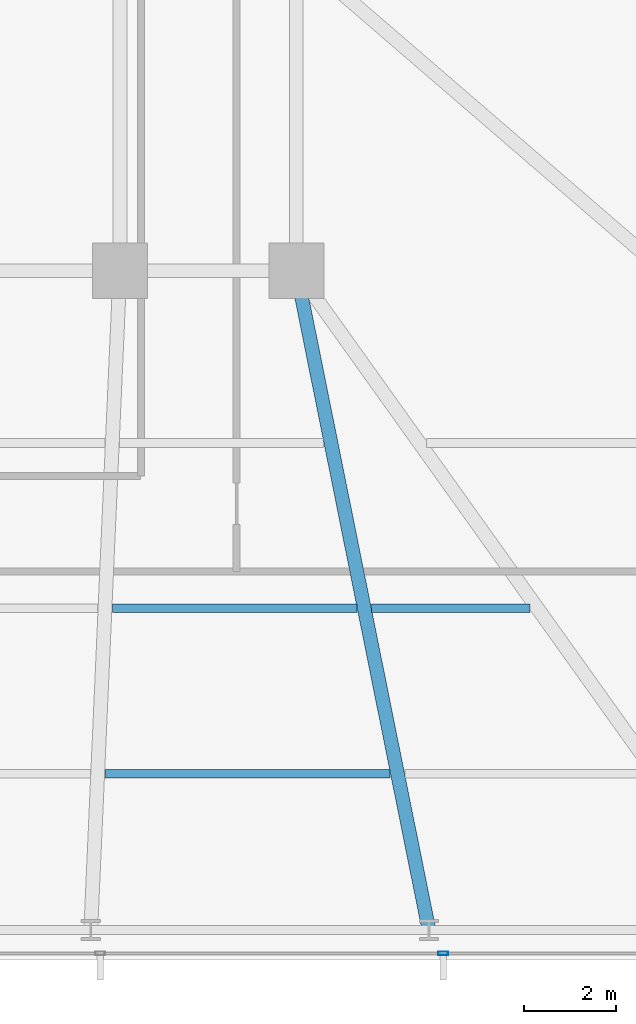
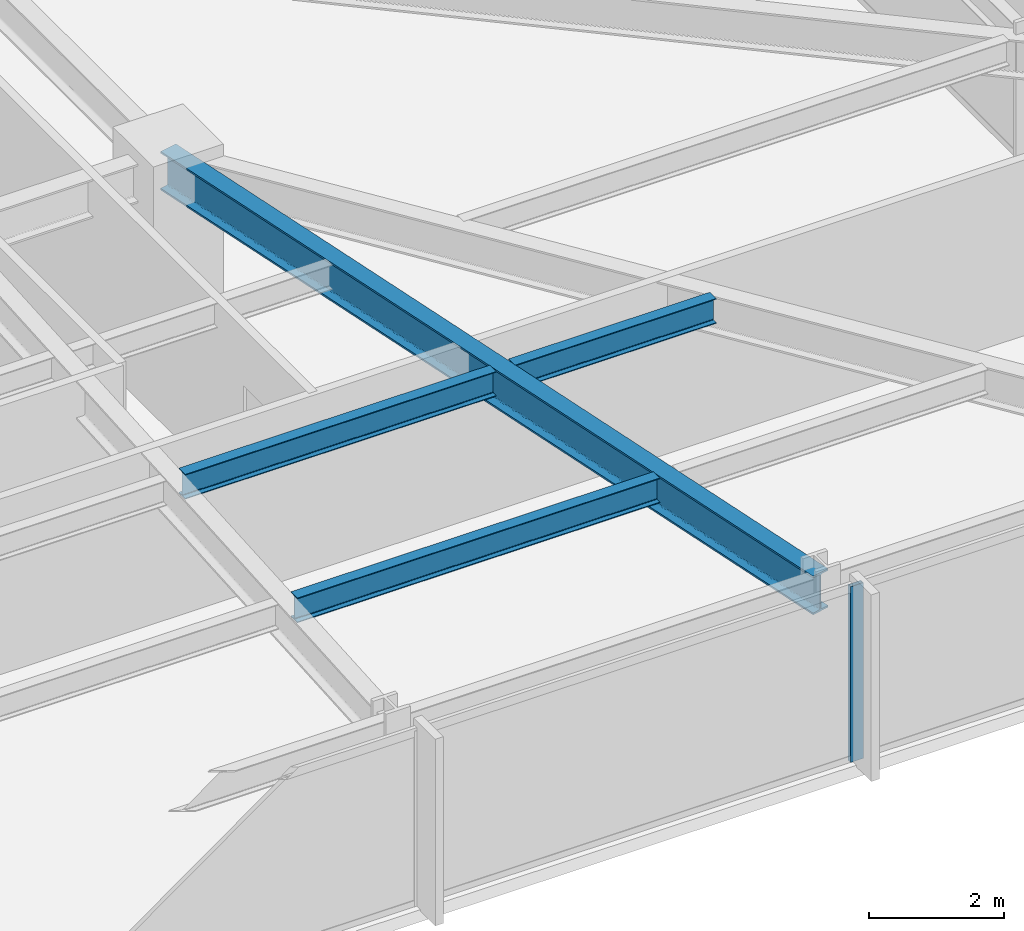
# One storey, part 14 of 32: 4 beams, 1 member, 1 element without a shape of its own.
"""IFC4 building model written with IfcOpenShell, lengths in metres."""

from ifc_helpers import new_model, si_unit, direction, frame, origin, origin_2d, place, context, subcontext, project, spatial, hollow_rectangle, i_section, extrude, material, material_profile, profile_set, type_object, element, aggregate, save


model = new_model("IFC4")

# Units and contexts
model_context = context("Model", 3, precision=1e-05, world=origin(), true_north=direction((0.0, 1.0)))
body_context = subcontext(model_context, "Body", "Model", "MODEL_VIEW")
ifc_project = project(units=[si_unit("LENGTHUNIT", "METRE"), si_unit("AREAUNIT", "SQUARE_METRE"), si_unit("VOLUMEUNIT", "CUBIC_METRE"), si_unit("PLANEANGLEUNIT", "RADIAN"), si_unit("MASSUNIT", "GRAM", prefix="KILO")], contexts=[model_context])

# Site, building, storey
site_placement = place(None, origin())
site = spatial("IfcSite", under=ifc_project, at=site_placement, CompositionType="ELEMENT")
building_placement = place(site_placement, origin())
building = spatial("IfcBuilding", under=site, at=building_placement, Name="Yelkora Congress Tower", CompositionType="ELEMENT")
storey_placement = place(building_placement, frame((0.0, 0.0, 33.800048828125)))
storey = spatial("IfcBuildingStorey", under=building, at=storey_placement, Name="L07", CompositionType="ELEMENT", Elevation=33.800048828125)

# Beams
ifc_material_1 = material(Name="Steel S355J2", Category="steel")
ifc_material_profile_1 = material_profile(ifc_material_1, i_section(OverallWidth=0.300048828125, OverallDepth=0.699951171875, WebThickness=0.01708984375, FlangeThickness=0.031982421875, FilletRadius=0.027099609375, at=origin_2d()), Name="HEB 700")
ifc_profile_set_1 = profile_set([ifc_material_profile_1], Name="Steel S355J2")
beam_type_1 = type_object("IfcBeamType", Name="BM-GIRD-HEB700", PredefinedType="BEAM", material=ifc_profile_set_1)
beam_1_placement = place(storey_placement, frame((60.487548828125, 10.85009765625, 2.829833984375), z_axis=(-0.197264295931, 0.980350344291, 0.0), x_axis=(-0.980350344291, -0.197264295931, 0.0)))
element("IfcBeam", 1, at=beam_1_placement, inside=storey, type_object=beam_type_1, Name="L07 Primary Frame Girder S08", PredefinedType="BEAM", context=body_context, shape_type="SweptSolid", body=[
    extrude(i_section(OverallWidth=0.300048828125, OverallDepth=0.699951171875, WebThickness=0.01708984375, FlangeThickness=0.031982421875, FilletRadius=0.027099609375, at=origin_2d()), origin(), (0.0, 0.0, 1.0), 14.637451171875),
])
ifc_material_profile_2 = material_profile(ifc_material_1, i_section(OverallWidth=0.18994140625, OverallDepth=0.449951171875, WebThickness=0.009521484375, FlangeThickness=0.0146484375, FilletRadius=0.02099609375, at=origin_2d()), Name="IPE 450")
ifc_profile_set_2 = profile_set([ifc_material_profile_2], Name="Steel S355J2")
beam_type_2 = type_object("IfcBeamType", Name="BM-JOIST-IPE450", PredefinedType="JOIST", material=ifc_profile_set_2)
beam_2_placement = place(storey_placement, frame((53.435546875, 14.25, 2.954833984375), z_axis=(1.0, 0.0, 0.0), x_axis=(0.0, 1.0, 0.0)))
element("IfcBeam", 2, at=beam_2_placement, inside=storey, type_object=beam_type_2, Name="L07 Composite Floor Joist 7", PredefinedType="JOIST", context=body_context, shape_type="SweptSolid", body=[
    extrude(i_section(OverallWidth=0.18994140625, OverallDepth=0.449951171875, WebThickness=0.009521484375, FlangeThickness=0.0146484375, FilletRadius=0.02099609375, at=origin_2d()), origin(), (0.0, 0.0, 1.0), 6.207763671875),
])
beam_3_placement = place(storey_placement, frame((53.5947265625, 17.85009765625, 2.954833984375), z_axis=(1.0, 0.0, 0.0), x_axis=(0.0, 1.0, 0.0)))
element("IfcBeam", 3, at=beam_3_placement, inside=storey, type_object=beam_type_2, Name="L07 Composite Floor Joist 15", PredefinedType="JOIST", context=body_context, shape_type="SweptSolid", body=[
    extrude(i_section(OverallWidth=0.18994140625, OverallDepth=0.449951171875, WebThickness=0.009521484375, FlangeThickness=0.0146484375, FilletRadius=0.02099609375, at=origin_2d()), origin(), (0.0, 0.0, 1.0), 5.32421875),
])
beam_4_placement = place(storey_placement, frame((59.239013671875, 17.85009765625, 2.954833984375), z_axis=(1.0, 0.0, 0.0), x_axis=(0.0, 1.0, 0.0)))
element("IfcBeam", 4, at=beam_4_placement, inside=storey, type_object=beam_type_2, Name="L07 Composite Floor Joist 16", PredefinedType="JOIST", context=body_context, shape_type="SweptSolid", body=[
    extrude(i_section(OverallWidth=0.18994140625, OverallDepth=0.449951171875, WebThickness=0.009521484375, FlangeThickness=0.0146484375, FilletRadius=0.02099609375, at=origin_2d()), origin(), (0.0, 0.0, 1.0), 3.450927734375),
])

# Curtain wall, member
ifc_material_2 = material(Name="Anodised aluminium and insulated glass", Category="aluminium")
curtain_wall_type = type_object("IfcCurtainWallType", Name="CW-SYS-B1", PredefinedType="NOTDEFINED", material=ifc_material_2)
curtain_wall_placement = place(storey_placement, origin())
curtain_wall = element("IfcCurtainWall", 5, at=curtain_wall_placement, inside=storey, type_object=curtain_wall_type, Name="L07 Unitised Curtain Wall 20", PredefinedType="NOTDEFINED")
ifc_material_3 = material(Name="Anodised aluminium 6063-T6", Category="aluminium")
ifc_material_profile_3 = material_profile(ifc_material_3, hollow_rectangle(XDim=0.074951171875, YDim=0.219970703125, WallThickness=0.0048828125, at=origin_2d()), Name="ALU 75x220x5")
ifc_profile_set_3 = profile_set([ifc_material_profile_3], Name="Anodised aluminium 6063-T6")
member_type = type_object("IfcMemberType", Name="MEM-ML-B1", PredefinedType="MULLION", material=ifc_profile_set_3)
member_placement = place(storey_placement, frame((60.794921875, 10.340087890625, 0.0), z_axis=(0.0, 0.0, 1.0), x_axis=(0.0, -1.0, 0.0)))
member = element("IfcMember", 6, at=member_placement, type_object=member_type, Name="CW-B1 mullion 2", PredefinedType="MULLION", context=body_context, shape_type="SweptSolid", body=[
    extrude(hollow_rectangle(XDim=0.074951171875, YDim=0.219970703125, WallThickness=0.0048828125, at=origin_2d()), origin(), (0.0, 0.0, 1.0), 3.179931640625),
])
aggregate(curtain_wall, [member])

save(model, "model.ifc")
